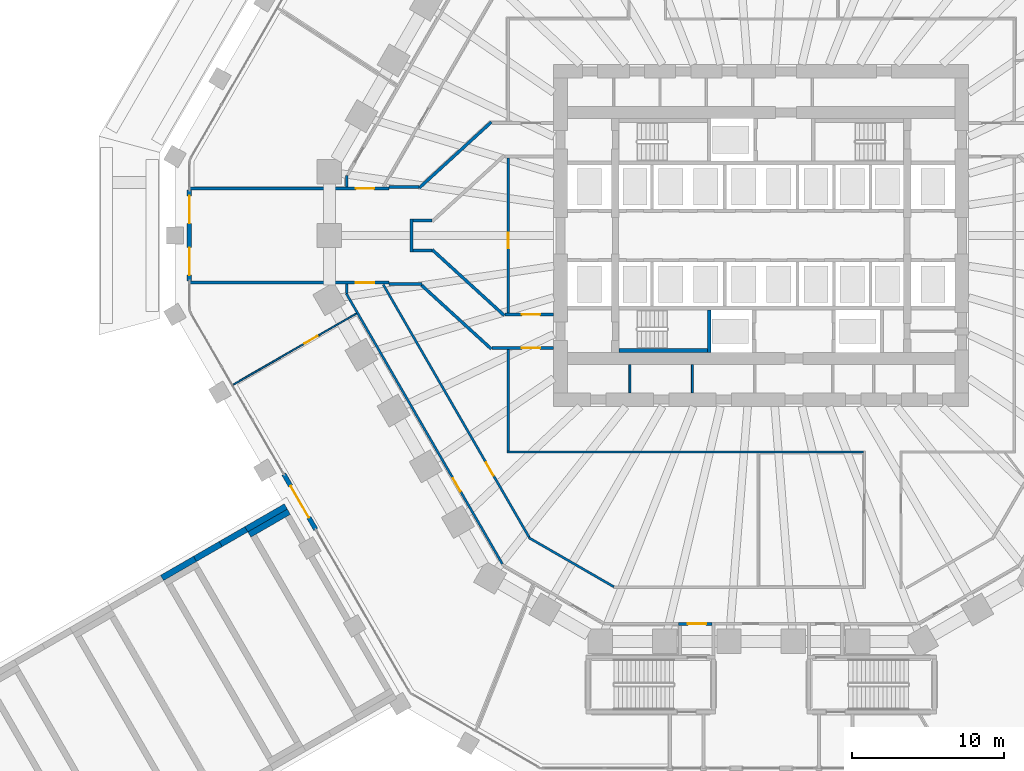
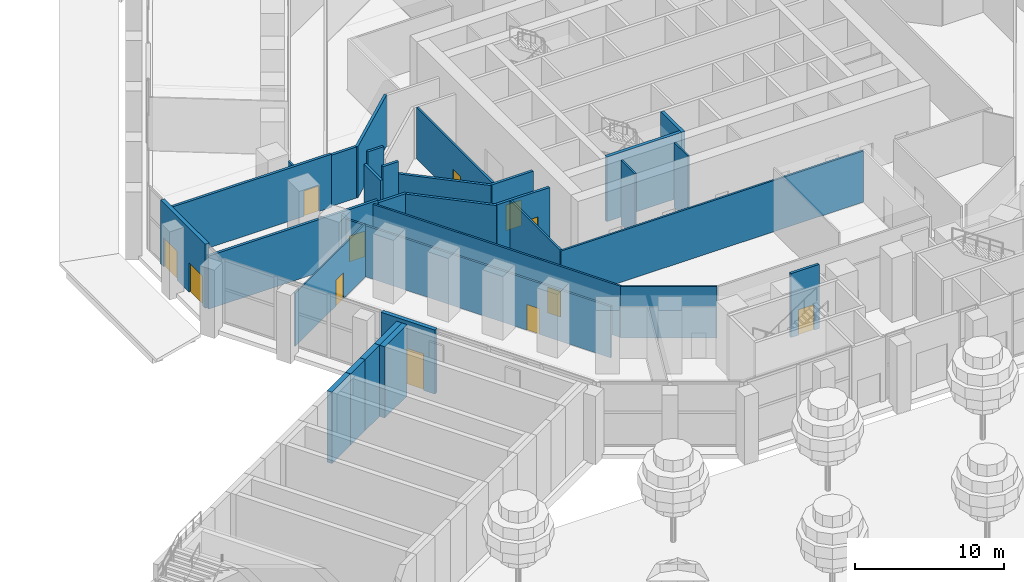
# One storey, part 17 of 44: 33 walls, 12 doors, 12 openings.
"""IFC4 building model written with IfcOpenShell, lengths in metres."""

from ifc_helpers import new_model, si_unit, direction, frame, frame_2d, origin, place, context, subcontext, project, spatial, rectangle, extrude, material, layer, layer_set, type_object, element, fill, save


model = new_model("IFC4")

# Units and contexts
model_context = context("Model", 3, precision=1e-05, world=origin(), true_north=direction((0.0, 1.0)))
body_context = subcontext(model_context, "Body", "Model", "MODEL_VIEW")
ifc_project = project(units=[si_unit("LENGTHUNIT", "METRE"), si_unit("AREAUNIT", "SQUARE_METRE"), si_unit("VOLUMEUNIT", "CUBIC_METRE"), si_unit("PLANEANGLEUNIT", "RADIAN"), si_unit("MASSUNIT", "GRAM", prefix="KILO")], contexts=[model_context])

# Site, building, storey
site_placement = place(None, origin())
site = spatial("IfcSite", under=ifc_project, at=site_placement, CompositionType="ELEMENT")
building_placement = place(site_placement, origin())
building = spatial("IfcBuilding", under=site, at=building_placement, Name="Frailejon Research Tower", CompositionType="ELEMENT")
storey_placement = place(building_placement, origin())
storey = spatial("IfcBuildingStorey", under=building, at=storey_placement, Name="L00", CompositionType="ELEMENT", Elevation=0.0)

# Walls
ifc_material_1 = material(Name="Plasterboard on steel studs", Category="steel")
ifc_layer_1 = layer(ifc_material_1, 0.125)
ifc_layer_set_1 = layer_set([ifc_layer_1], Name="Core partition 125")
wall_type_1 = type_object("IfcWallType", Name="Core partition 125", PredefinedType="PARTITIONING", material=ifc_layer_set_1)
for number, where, z_axis, x_axis, name in (
    (1, (-8.637451171875, -10.35009765625, 0.0), (0.0, 0.0, 1.0), (0.0, 1.0, 0.0), "Core partition"),
    (2, (-4.52490234375, -10.35009765625, 0.0), (0.0, 0.0, 1.0), (0.0, 1.0, 0.0), "Core partition"),
):
    element("IfcWall", number, at=place(storey_placement, frame(where, z_axis=z_axis, x_axis=x_axis)), inside=storey, type_object=wall_type_1, Name=name, PredefinedType="PARTITIONING", context=body_context, shape_type="SweptSolid", body=[
        extrude(rectangle(XDim=1.85009765625, YDim=0.125, at=frame_2d((0.925048828125, 0.0))), origin(), (0.0, 0.0, 1.0), 5.300048828125),
    ])
ifc_material_2 = material(Name="Gypsum board and masonry partition", Category="masonry")
ifc_layer_2 = layer(ifc_material_2, 0.14990234375)
ifc_layer_set_2 = layer_set([ifc_layer_2], Name="Corridor wall EI 60, gypsum on steel studs 150")
wall_type_2 = type_object("IfcWallType", Name="Corridor wall EI 60, gypsum on steel studs 150", PredefinedType="PARTITIONING", material=ifc_layer_set_2)
wall_1_placement = place(storey_placement, frame((-16.64990234375, -14.175048828125, 0.0), z_axis=(0.0, 0.0, 1.0), x_axis=(0.0, 1.0, 0.0)))
element("IfcWall", 3, at=wall_1_placement, inside=storey, type_object=wall_type_2, Name="T:IW:L00:005", PredefinedType="PARTITIONING", context=body_context, shape_type="SweptSolid", body=[
    extrude(rectangle(XDim=6.675048828125, YDim=0.14990234375, at=frame_2d((3.33740234375, 0.0))), origin(), (0.0, 0.0, 1.0), 4.199951171875),
])

# Wall, opening, door
wall_2_placement = place(storey_placement, frame((-16.64990234375, -5.10009765625, 0.0), z_axis=(0.0, 0.0, 1.0), x_axis=(0.0, 1.0, 0.0)))
wall_2 = element("IfcWall", 4, at=wall_2_placement, inside=storey, type_object=wall_type_2, Name="T:IW:L00:006", PredefinedType="PARTITIONING", context=body_context, shape_type="SweptSolid", body=[
    extrude(rectangle(XDim=10.2001953125, YDim=0.14990234375, at=frame_2d((5.10009765625, 0.0))), origin(), (0.0, 0.0, 1.0), 4.199951171875),
])
opening_1_placement = place(wall_2_placement, frame((4.277099609375, 0.0, 0.0)))
opening_1 = element("IfcOpeningElement", 5, at=opening_1_placement, cuts=wall_2, Name="Opening D1010", PredefinedType="OPENING", context=body_context, shape_type="SweptSolid", body=[
    extrude(rectangle(XDim=1.0, YDim=2.10009765625, at=frame_2d((0.5, 1.050048828125))), frame((0.0, 0.0849609375, 0.0), z_axis=(0.0, -1.0, 0.0), x_axis=(1.0, 0.0, 0.0)), (0.0, 0.0, 1.0), 0.169921875),
])
ifc_material_3 = material(Name="Timber door leaf", Category="wood")
door_type_1 = type_object("IfcDoorType", Name="Door single leaf, timber, steel frame 1000", OperationType="NOTDEFINED", PredefinedType="DOOR", material=ifc_material_3)
door_1_placement = place(opening_1_placement, origin())
door_1 = element("IfcDoor", 6, at=door_1_placement, inside=storey, type_object=door_type_1, Name="D1010", OperationType="SINGLE_SWING_RIGHT", OverallHeight=2.10009765625, OverallWidth=1.0, PredefinedType="DOOR", context=body_context, shape_type="SweptSolid", body=[
    extrude(rectangle(XDim=1.0, YDim=2.10009765625, at=frame_2d((0.5, 1.050048828125))), frame((0.0, 0.02490234375, 0.0), z_axis=(0.0, -1.0, 0.0), x_axis=(1.0, 0.0, 0.0)), (0.0, 0.0, 1.0), 0.050048828125),
])
fill(opening_1, door_1)

# Walls
wall_3_placement = place(storey_placement, frame((-27.2626953125, -3.804443359375, 0.0), z_axis=(0.0, 0.0, 1.0), x_axis=(0.0, 1.0, 0.0)))
element("IfcWall", 7, at=wall_3_placement, inside=storey, type_object=wall_type_2, Name="T:IW:L00:024", PredefinedType="PARTITIONING", context=body_context, shape_type="SweptSolid", body=[
    extrude(rectangle(XDim=0.6044921875, YDim=0.14990234375, at=frame_2d((0.30224609375, 0.0))), origin(), (0.0, 0.0, 1.0), 4.199951171875),
])
wall_4_placement = place(storey_placement, frame((-27.2626953125, 3.199951171875, 0.0), z_axis=(0.0, 0.0, 1.0), x_axis=(0.0, 1.0, 0.0)))
element("IfcWall", 8, at=wall_4_placement, inside=storey, type_object=wall_type_2, Name="T:IW:L00:025", PredefinedType="PARTITIONING", context=body_context, shape_type="SweptSolid", body=[
    extrude(rectangle(XDim=0.75439453125, YDim=0.14990234375, at=frame_2d((0.377197265625, 0.0))), origin(), (0.0, 0.0, 1.0), 4.199951171875),
])

# Wall, opening, door
wall_5_placement = place(storey_placement, frame((-27.30029296875, -3.814453125, 0.0), z_axis=(0.0, 0.0, 1.0), x_axis=(0.499997805905, -0.866026670542, 0.0)))
wall_5 = element("IfcWall", 9, at=wall_5_placement, inside=storey, type_object=wall_type_2, Name="T:IW:L00:028", PredefinedType="PARTITIONING", context=body_context, shape_type="SweptSolid", body=[
    extrude(rectangle(XDim=20.54345703125, YDim=0.14990234375, at=frame_2d((10.271728515625, 0.0))), origin(), (0.0, 0.0, 1.0), 4.199951171875),
])
opening_2_placement = place(wall_5_placement, frame((14.03564453125, 0.0, 0.0)))
opening_2 = element("IfcOpeningElement", 10, at=opening_2_placement, cuts=wall_5, Name="Opening D1012", PredefinedType="OPENING", context=body_context, shape_type="SweptSolid", body=[
    extrude(rectangle(XDim=1.0, YDim=2.10009765625, at=frame_2d((0.5, 1.050048828125))), frame((0.0, 0.0849609375, 0.0), z_axis=(0.0, -1.0, 0.0), x_axis=(1.0, 0.0, 0.0)), (0.0, 0.0, 1.0), 0.169921875),
])
door_2_placement = place(opening_2_placement, origin())
door_2 = element("IfcDoor", 11, at=door_2_placement, inside=storey, type_object=door_type_1, Name="D1012", OperationType="SINGLE_SWING_LEFT", OverallHeight=2.10009765625, OverallWidth=1.0, PredefinedType="DOOR", context=body_context, shape_type="SweptSolid", body=[
    extrude(rectangle(XDim=1.0, YDim=2.10009765625, at=frame_2d((0.5, 1.050048828125))), frame((0.0, 0.02490234375, 0.0), z_axis=(0.0, -1.0, 0.0), x_axis=(1.0, 0.0, 0.0)), (0.0, 0.0, 1.0), 0.050048828125),
])
fill(opening_2, door_2)

wall_6_placement = place(storey_placement, frame((-24.86279296875, -3.236328125, 0.0), z_axis=(0.0, 0.0, 1.0), x_axis=(0.499997883582, -0.866026625696, 0.0)))
wall_6 = element("IfcWall", 12, at=wall_6_placement, inside=storey, type_object=wall_type_2, Name="T:IW:L00:030", PredefinedType="PARTITIONING", context=body_context, shape_type="SweptSolid", body=[
    extrude(rectangle(XDim=19.18212890625, YDim=0.14990234375, at=frame_2d((9.591064453125, 0.0))), origin(), (0.0, 0.0, 1.0), 4.199951171875),
])
opening_3_placement = place(wall_6_placement, frame((13.51806640625, 0.0, 0.0)))
opening_3 = element("IfcOpeningElement", 13, at=opening_3_placement, cuts=wall_6, Name="Opening D1013", PredefinedType="OPENING", context=body_context, shape_type="SweptSolid", body=[
    extrude(rectangle(XDim=1.0, YDim=2.10009765625, at=frame_2d((0.5, 1.050048828125))), frame((0.0, 0.0849609375, 0.0), z_axis=(0.0, -1.0, 0.0), x_axis=(1.0, 0.0, 0.0)), (0.0, 0.0, 1.0), 0.169921875),
])
door_3_placement = place(opening_3_placement, origin())
door_3 = element("IfcDoor", 14, at=door_3_placement, inside=storey, type_object=door_type_1, Name="D1013", OperationType="SINGLE_SWING_RIGHT", OverallHeight=2.10009765625, OverallWidth=1.0, PredefinedType="DOOR", context=body_context, shape_type="SweptSolid", body=[
    extrude(rectangle(XDim=1.0, YDim=2.10009765625, at=frame_2d((0.5, 1.050048828125))), frame((0.0, 0.02490234375, 0.0), z_axis=(0.0, -1.0, 0.0), x_axis=(1.0, 0.0, 0.0)), (0.0, 0.0, 1.0), 0.050048828125),
])
fill(opening_3, door_3)

# Walls
wall_7_placement = place(storey_placement, frame((-15.299072265625, -19.876220703125, 0.0), z_axis=(0.0, 0.0, 1.0), x_axis=(0.866024786089, -0.500001069878, 0.0)))
element("IfcWall", 15, at=wall_7_placement, inside=storey, type_object=wall_type_2, Name="T:IW:L00:031", PredefinedType="PARTITIONING", context=body_context, shape_type="SweptSolid", body=[
    extrude(rectangle(XDim=6.47265625, YDim=0.14990234375, at=frame_2d((3.236328125, 0.0))), origin(), (0.0, 0.0, 1.0), 4.199951171875),
])
wall_8_placement = place(storey_placement, frame((-16.72509765625, -14.25, 0.0), z_axis=(0.0, 0.0, 1.0), x_axis=(1.0, 0.0, 0.0)))
element("IfcWall", 16, at=wall_8_placement, inside=storey, type_object=wall_type_2, Name="T:IW:L00:041", PredefinedType="PARTITIONING", context=body_context, shape_type="SweptSolid", body=[
    extrude(rectangle(XDim=23.4501953125, YDim=0.14990234375, at=frame_2d((11.72509765625, 0.0))), origin(), (0.0, 0.0, 1.0), 4.199951171875),
])
ifc_material_4 = material(Name="Gypsum board and masonry partition", Category="masonry")
ifc_layer_3 = layer(ifc_material_4, 0.199951171875)
ifc_layer_set_3 = layer_set([ifc_layer_3], Name="Enclosure wall EI 120, blockwork 200")
wall_type_3 = type_object("IfcWallType", Name="Enclosure wall EI 120, blockwork 200", PredefinedType="PARTITIONING", material=ifc_layer_set_3)
wall_9_placement = place(storey_placement, frame((-24.5, 3.199951171875, 0.0), z_axis=(0.0, 0.0, 1.0), x_axis=(1.0, 0.0, 0.0)))
element("IfcWall", 17, at=wall_9_placement, inside=storey, type_object=wall_type_3, Name="T:IW:L00:047", PredefinedType="PARTITIONING", context=body_context, shape_type="SweptSolid", body=[
    extrude(rectangle(XDim=1.973388671875, YDim=0.199951171875, at=frame_2d((0.98681640625, 0.0))), origin(), (0.0, 0.0, 1.0), 4.199951171875),
])

# Wall, opening, door
wall_10_placement = place(storey_placement, frame((-37.619140625, 3.10009765625, 0.0), z_axis=(0.0, 0.0, 1.0), x_axis=(1.0, 0.0, 0.0)))
wall_10 = element("IfcWall", 18, at=wall_10_placement, inside=storey, type_object=wall_type_3, Name="T:IW:L00:049", PredefinedType="PARTITIONING", context=body_context, shape_type="SweptSolid", body=[
    extrude(rectangle(XDim=13.119140625, YDim=0.199951171875, at=frame_2d((6.5595703125, 0.0))), origin(), (0.0, 0.0, 1.0), 4.35009765625),
])
opening_4_placement = place(wall_10_placement, frame((10.956298828125, 0.0, 0.0)))
opening_4 = element("IfcOpeningElement", 19, at=opening_4_placement, cuts=wall_10, Name="Opening D1026", PredefinedType="OPENING", context=body_context, shape_type="SweptSolid", body=[
    extrude(rectangle(XDim=1.199951171875, YDim=2.10009765625, at=frame_2d((0.60009765625, 1.050048828125))), frame((0.0, 0.10986328125, 0.0), z_axis=(0.0, -1.0, 0.0), x_axis=(1.0, 0.0, 0.0)), (0.0, 0.0, 1.0), 0.219970703125),
])
ifc_material_5 = material(Name="Steel door leaf", Category="steel")
door_type_2 = type_object("IfcDoorType", Name="Door exit passage, steel, fire rated 1200", OperationType="NOTDEFINED", PredefinedType="DOOR", material=ifc_material_5)
door_4_placement = place(opening_4_placement, origin())
door_4 = element("IfcDoor", 20, at=door_4_placement, inside=storey, type_object=door_type_2, Name="D1026", OperationType="SINGLE_SWING_LEFT", OverallHeight=2.10009765625, OverallWidth=1.199951171875, PredefinedType="DOOR", context=body_context, shape_type="SweptSolid", body=[
    extrude(rectangle(XDim=1.199951171875, YDim=2.10009765625, at=frame_2d((0.60009765625, 1.050048828125))), frame((0.0, 0.02490234375, 0.0), z_axis=(0.0, -1.0, 0.0), x_axis=(1.0, 0.0, 0.0)), (0.0, 0.0, 1.0), 0.050048828125),
])
fill(opening_4, door_4)

wall_11_placement = place(storey_placement, frame((-16.873291015625, -5.199951171875, 0.0), z_axis=(0.0, 0.0, 1.0), x_axis=(1.0, 0.0, 0.0)))
wall_11 = element("IfcWall", 21, at=wall_11_placement, inside=storey, type_object=wall_type_3, Name="T:IW:L00:054", PredefinedType="PARTITIONING", context=body_context, shape_type="SweptSolid", body=[
    extrude(rectangle(XDim=3.223388671875, YDim=0.199951171875, at=frame_2d((1.61181640625, 0.0))), origin(), (0.0, 0.0, 1.0), 4.199951171875),
])
opening_5_placement = place(wall_11_placement, frame((1.123291015625, 0.0, 0.0)))
opening_5 = element("IfcOpeningElement", 22, at=opening_5_placement, cuts=wall_11, Name="Opening D1027", PredefinedType="OPENING", context=body_context, shape_type="SweptSolid", body=[
    extrude(rectangle(XDim=1.199951171875, YDim=2.10009765625, at=frame_2d((0.60009765625, 1.050048828125))), frame((0.0, 0.10986328125, 0.0), z_axis=(0.0, -1.0, 0.0), x_axis=(1.0, 0.0, 0.0)), (0.0, 0.0, 1.0), 0.219970703125),
])
door_5_placement = place(opening_5_placement, origin())
door_5 = element("IfcDoor", 23, at=door_5_placement, inside=storey, type_object=door_type_2, Name="D1027", OperationType="SINGLE_SWING_RIGHT", OverallHeight=2.10009765625, OverallWidth=1.199951171875, PredefinedType="DOOR", context=body_context, shape_type="SweptSolid", body=[
    extrude(rectangle(XDim=1.199951171875, YDim=2.10009765625, at=frame_2d((0.60009765625, 1.050048828125))), frame((0.0, 0.02490234375, 0.0), z_axis=(0.0, -1.0, 0.0), x_axis=(1.0, 0.0, 0.0)), (0.0, 0.0, 1.0), 0.050048828125),
])
fill(opening_5, door_5)

# Wall
wall_12_placement = place(storey_placement, frame((-22.89990234375, 1.0, 0.0), z_axis=(0.0, 0.0, 1.0), x_axis=(1.0, 0.0, 0.0)))
element("IfcWall", 24, at=wall_12_placement, inside=storey, type_object=wall_type_3, Name="T:IW:L00:057", PredefinedType="PARTITIONING", context=body_context, shape_type="SweptSolid", body=[
    extrude(rectangle(XDim=1.2265625, YDim=0.199951171875, at=frame_2d((0.61328125, 0.0))), origin(), (0.0, 0.0, 1.0), 5.25),
])

# Wall, opening, door
wall_13_placement = place(storey_placement, frame((-37.619140625, -3.10009765625, 0.0), z_axis=(0.0, 0.0, 1.0), x_axis=(1.0, 0.0, 0.0)))
wall_13 = element("IfcWall", 25, at=wall_13_placement, inside=storey, type_object=wall_type_3, Name="T:IW:L00:060", PredefinedType="PARTITIONING", context=body_context, shape_type="SweptSolid", body=[
    extrude(rectangle(XDim=13.119140625, YDim=0.199951171875, at=frame_2d((6.5595703125, 0.0))), origin(), (0.0, 0.0, 1.0), 4.35009765625),
])
opening_6_placement = place(wall_13_placement, frame((10.956298828125, 0.0, 0.0)))
opening_6 = element("IfcOpeningElement", 26, at=opening_6_placement, cuts=wall_13, Name="Opening D1028", PredefinedType="OPENING", context=body_context, shape_type="SweptSolid", body=[
    extrude(rectangle(XDim=1.199951171875, YDim=2.10009765625, at=frame_2d((0.60009765625, 1.050048828125))), frame((0.0, 0.10986328125, 0.0), z_axis=(0.0, -1.0, 0.0), x_axis=(1.0, 0.0, 0.0)), (0.0, 0.0, 1.0), 0.219970703125),
])
door_6_placement = place(opening_6_placement, origin())
door_6 = element("IfcDoor", 27, at=door_6_placement, inside=storey, type_object=door_type_2, Name="D1028", OperationType="SINGLE_SWING_LEFT", OverallHeight=2.10009765625, OverallWidth=1.199951171875, PredefinedType="DOOR", context=body_context, shape_type="SweptSolid", body=[
    extrude(rectangle(XDim=1.199951171875, YDim=2.10009765625, at=frame_2d((0.60009765625, 1.050048828125))), frame((0.0, 0.02490234375, 0.0), z_axis=(0.0, -1.0, 0.0), x_axis=(1.0, 0.0, 0.0)), (0.0, 0.0, 1.0), 0.050048828125),
])
fill(opening_6, door_6)

wall_14_placement = place(storey_placement, frame((-5.431884765625, -25.5498046875, 0.0), z_axis=(0.0, 0.0, 1.0), x_axis=(1.0, 0.0, 0.0)))
wall_14 = element("IfcWall", 28, at=wall_14_placement, inside=storey, type_object=wall_type_3, Name="T:IW:L00:061", PredefinedType="PARTITIONING", context=body_context, shape_type="SweptSolid", body=[
    extrude(rectangle(XDim=2.199951171875, YDim=0.199951171875, at=frame_2d((1.10009765625, 0.0))), origin(), (0.0, 0.0, 1.0), 5.25),
])
opening_7_placement = place(wall_14_placement, frame((1.800048828125, 0.0, 0.0), z_axis=(0.0, 0.0, 1.0), x_axis=(-1.0, 0.0, 0.0)))
opening_7 = element("IfcOpeningElement", 29, at=opening_7_placement, cuts=wall_14, Name="Opening PSD07", PredefinedType="OPENING", context=body_context, shape_type="SweptSolid", body=[
    extrude(rectangle(XDim=1.199951171875, YDim=2.10009765625, at=frame_2d((0.60009765625, 1.050048828125))), frame((0.0, 0.10986328125, 0.0), z_axis=(0.0, -1.0, 0.0), x_axis=(1.0, 0.0, 0.0)), (0.0, 0.0, 1.0), 0.219970703125),
])
door_7_placement = place(opening_7_placement, origin())
door_7 = element("IfcDoor", 30, at=door_7_placement, inside=storey, type_object=door_type_2, Name="PSD07", OperationType="SINGLE_SWING_RIGHT", OverallHeight=2.10009765625, OverallWidth=1.199951171875, PredefinedType="DOOR", context=body_context, shape_type="SweptSolid", body=[
    extrude(rectangle(XDim=1.199951171875, YDim=2.10009765625, at=frame_2d((0.60009765625, 1.050048828125))), frame((0.0, 0.02490234375, 0.0), z_axis=(0.0, -1.0, 0.0), x_axis=(1.0, 0.0, 0.0)), (0.0, 0.0, 1.0), 0.050048828125),
])
fill(opening_7, door_7)

wall_15_placement = place(storey_placement, frame((-17.7265625, -7.39990234375, 0.0), z_axis=(0.0, 0.0, 1.0), x_axis=(1.0, 0.0, 0.0)))
wall_15 = element("IfcWall", 31, at=wall_15_placement, inside=storey, type_object=wall_type_3, Name="T:IW:L00:063", PredefinedType="PARTITIONING", context=body_context, shape_type="SweptSolid", body=[
    extrude(rectangle(XDim=4.07666015625, YDim=0.199951171875, at=frame_2d((2.038330078125, 0.0))), origin(), (0.0, 0.0, 1.0), 4.199951171875),
])
opening_8_placement = place(wall_15_placement, frame((1.9765625, 0.0, 0.0)))
opening_8 = element("IfcOpeningElement", 32, at=opening_8_placement, cuts=wall_15, Name="Opening D1029", PredefinedType="OPENING", context=body_context, shape_type="SweptSolid", body=[
    extrude(rectangle(XDim=1.199951171875, YDim=2.10009765625, at=frame_2d((0.60009765625, 1.050048828125))), frame((0.0, 0.10986328125, 0.0), z_axis=(0.0, -1.0, 0.0), x_axis=(1.0, 0.0, 0.0)), (0.0, 0.0, 1.0), 0.219970703125),
])
door_8_placement = place(opening_8_placement, origin())
door_8 = element("IfcDoor", 33, at=door_8_placement, inside=storey, type_object=door_type_2, Name="D1029", OperationType="SINGLE_SWING_RIGHT", OverallHeight=2.10009765625, OverallWidth=1.199951171875, PredefinedType="DOOR", context=body_context, shape_type="SweptSolid", body=[
    extrude(rectangle(XDim=1.199951171875, YDim=2.10009765625, at=frame_2d((0.60009765625, 1.050048828125))), frame((0.0, 0.02490234375, 0.0), z_axis=(0.0, -1.0, 0.0), x_axis=(1.0, 0.0, 0.0)), (0.0, 0.0, 1.0), 0.050048828125),
])
fill(opening_8, door_8)

# Walls
wall_16_placement = place(storey_placement, frame((-22.89990234375, -1.0, 0.0), z_axis=(0.0, 0.0, 1.0), x_axis=(1.0, 0.0, 0.0)))
element("IfcWall", 34, at=wall_16_placement, inside=storey, type_object=wall_type_3, Name="T:IW:L00:066", PredefinedType="PARTITIONING", context=body_context, shape_type="SweptSolid", body=[
    extrude(rectangle(XDim=1.2265625, YDim=0.199951171875, at=frame_2d((0.61328125, 0.0))), origin(), (0.0, 0.0, 1.0), 5.25),
])
wall_17_placement = place(storey_placement, frame((-22.50048828125, 3.132568359375, 0.0), z_axis=(0.0, 0.0, 1.0), x_axis=(0.738503580816, 0.674249554039, 0.0)))
element("IfcWall", 35, at=wall_17_placement, inside=storey, type_object=wall_type_3, Name="T:IW:L00:075", PredefinedType="PARTITIONING", context=body_context, shape_type="SweptSolid", body=[
    extrude(rectangle(XDim=6.428955078125, YDim=0.199951171875, at=frame_2d((3.21435546875, 0.0))), origin(), (0.0, 0.0, 1.0), 4.199951171875),
])
wall_18_placement = place(storey_placement, frame((-23.0, -1.10009765625, 0.0), z_axis=(0.0, 0.0, 1.0), x_axis=(0.0, 1.0, 0.0)))
element("IfcWall", 36, at=wall_18_placement, inside=storey, type_object=wall_type_3, Name="T:IW:L00:077", PredefinedType="PARTITIONING", context=body_context, shape_type="SweptSolid", body=[
    extrude(rectangle(XDim=2.2001953125, YDim=0.199951171875, at=frame_2d((1.10009765625, 0.0))), origin(), (0.0, 0.0, 1.0), 4.199951171875),
])
wall_19_placement = place(storey_placement, frame((-21.647216796875, -0.9326171875, 0.0), z_axis=(0.0, 0.0, 1.0), x_axis=(0.738503580816, -0.674249554039, 0.0)))
element("IfcWall", 37, at=wall_19_placement, inside=storey, type_object=wall_type_3, Name="T:IW:L00:078", PredefinedType="PARTITIONING", context=body_context, shape_type="SweptSolid", body=[
    extrude(rectangle(XDim=6.428955078125, YDim=0.199951171875, at=frame_2d((3.21435546875, 0.0))), origin(), (0.0, 0.0, 1.0), 4.199951171875),
])
wall_20_placement = place(storey_placement, frame((-22.352783203125, -3.267333984375, 0.0), z_axis=(0.0, 0.0, 1.0), x_axis=(0.738496524765, -0.67425728243, 0.0)))
element("IfcWall", 38, at=wall_20_placement, inside=storey, type_object=wall_type_3, Name="T:IW:L00:079", PredefinedType="PARTITIONING", context=body_context, shape_type="SweptSolid", body=[
    extrude(rectangle(XDim=6.22900390625, YDim=0.199951171875, at=frame_2d((3.114501953125, 0.0))), origin(), (0.0, 0.0, 1.0), 4.199951171875),
])
wall_21_placement = place(storey_placement, frame((-24.5, -3.199951171875, 0.0), z_axis=(0.0, 0.0, 1.0), x_axis=(1.0, 0.0, 0.0)))
element("IfcWall", 39, at=wall_21_placement, inside=storey, type_object=wall_type_3, Name="T:IW:L00:080", PredefinedType="PARTITIONING", context=body_context, shape_type="SweptSolid", body=[
    extrude(rectangle(XDim=2.17333984375, YDim=0.199951171875, at=frame_2d((1.086669921875, 0.0))), origin(), (0.0, 0.0, 1.0), 4.199951171875),
])

# Wall, opening, door
ifc_material_6 = material(Name="Gypsum board and masonry partition", Category="masonry")
ifc_layer_4 = layer(ifc_material_6, 0.10009765625)
ifc_layer_set_4 = layer_set([ifc_layer_4], Name="Partition, gypsum on steel studs 100")
wall_type_4 = type_object("IfcWallType", Name="Partition, gypsum on steel studs 100", PredefinedType="PARTITIONING", material=ifc_layer_set_4)
wall_22_placement = place(storey_placement, frame((-34.78955078125, -9.8427734375, 0.0), z_axis=(0.0, 0.0, 1.0), x_axis=(0.866020373745, 0.500008712183, 0.0)))
wall_22 = element("IfcWall", 40, at=wall_22_placement, inside=storey, type_object=wall_type_4, Name="T:IW:L00:096", PredefinedType="PARTITIONING", context=body_context, shape_type="SweptSolid", body=[
    extrude(rectangle(XDim=9.425048828125, YDim=0.10009765625, at=frame_2d((4.71240234375, 0.0))), origin(), (0.0, 0.0, 1.0), 4.35009765625),
])
opening_9_placement = place(wall_22_placement, frame((5.472412109375, 0.0, 0.0)))
opening_9 = element("IfcOpeningElement", 41, at=opening_9_placement, cuts=wall_22, Name="Opening D1011", PredefinedType="OPENING", context=body_context, shape_type="SweptSolid", body=[
    extrude(rectangle(XDim=1.0, YDim=2.10009765625, at=frame_2d((0.5, 1.050048828125))), frame((0.0, 0.06005859375, 0.0), z_axis=(0.0, -1.0, 0.0), x_axis=(1.0, 0.0, 0.0)), (0.0, 0.0, 1.0), 0.1201171875),
])
door_9_placement = place(opening_9_placement, origin())
door_9 = element("IfcDoor", 42, at=door_9_placement, inside=storey, type_object=door_type_1, Name="D1011", OperationType="SINGLE_SWING_RIGHT", OverallHeight=2.10009765625, OverallWidth=1.0, PredefinedType="DOOR", context=body_context, shape_type="SweptSolid", body=[
    extrude(rectangle(XDim=1.0, YDim=2.10009765625, at=frame_2d((0.5, 1.050048828125))), frame((0.0, 0.02490234375, 0.0), z_axis=(0.0, -1.0, 0.0), x_axis=(1.0, 0.0, 0.0)), (0.0, 0.0, 1.0), 0.050048828125),
])
fill(opening_9, door_9)

ifc_material_7 = material(Name="Concrete C40/50 precast entrance pier", Category="concrete")
ifc_layer_5 = layer(ifc_material_7, 0.300048828125)
ifc_layer_set_5 = layer_set([ifc_layer_5], Name="Podium entrance wall 300")
wall_type_5 = type_object("IfcWallType", Name="Podium entrance wall 300", PredefinedType="SOLIDWALL", material=ifc_layer_set_5)
wall_23_placement = place(storey_placement, frame((-31.404296875, -15.706298828125, 0.0), z_axis=(0.0, 0.0, 1.0), x_axis=(0.500002543286, -0.866023935413, 0.0)))
wall_23 = element("IfcWall", 43, at=wall_23_placement, inside=storey, type_object=wall_type_5, Name="Entrance pier L00", PredefinedType="SOLIDWALL", context=body_context, shape_type="SweptSolid", body=[
    extrude(rectangle(XDim=4.2001953125, YDim=0.300048828125, at=frame_2d((2.10009765625, 0.0))), origin(), (0.0, 0.0, 1.0), 5.25),
])
opening_10_placement = place(wall_23_placement, frame((0.89990234375, 0.0, 0.0)))
opening_10 = element("IfcOpeningElement", 44, at=opening_10_placement, cuts=wall_23, Name="Opening EN-4", PredefinedType="OPENING", context=body_context, shape_type="SweptSolid", body=[
    extrude(rectangle(XDim=2.39990234375, YDim=3.0, at=frame_2d((1.199951171875, 1.5))), frame((0.0, 0.159912109375, 0.0), z_axis=(0.0, -1.0, 0.0), x_axis=(1.0, 0.0, 0.0)), (0.0, 0.0, 1.0), 0.320068359375),
])
ifc_material_8 = material(Name="Aluminium framed glazed door leaf", Category="aluminium")
door_type_3 = type_object("IfcDoorType", Name="Entrance door 2400x3000", OperationType="DOUBLE_DOOR_SINGLE_SWING", PredefinedType="DOOR", material=ifc_material_8)
door_10_placement = place(opening_10_placement, origin())
door_10 = element("IfcDoor", 45, at=door_10_placement, inside=storey, type_object=door_type_3, Name="Door EN-4", OperationType="DOUBLE_DOOR_SINGLE_SWING", OverallHeight=3.0, OverallWidth=2.39990234375, PredefinedType="DOOR", context=body_context, shape_type="SweptSolid", body=[
    extrude(rectangle(XDim=2.39990234375, YDim=3.0, at=frame_2d((1.199951171875, 1.5))), frame((0.0, 0.02490234375, 0.0), z_axis=(0.0, -1.0, 0.0), x_axis=(1.0, 0.0, 0.0)), (0.0, 0.0, 1.0), 0.050048828125),
])
fill(opening_10, door_10)

# Wall, openings, doors
ifc_material_9 = material(Name="Concrete C40/50 precast exit pier", Category="concrete")
ifc_layer_6 = layer(ifc_material_9, 0.300048828125)
ifc_layer_set_6 = layer_set([ifc_layer_6], Name="Podium exit wall 300")
wall_type_6 = type_object("IfcWallType", Name="Podium exit wall 300", PredefinedType="SOLIDWALL", material=ifc_layer_set_6)
wall_24_placement = place(storey_placement, frame((-37.619140625, 3.0, 0.0), z_axis=(0.0, 0.0, 1.0), x_axis=(0.0, -1.0, 0.0)))
wall_24 = element("IfcWall", 46, at=wall_24_placement, inside=storey, type_object=wall_type_6, Name="Exit pier L00", PredefinedType="SOLIDWALL", context=body_context, shape_type="SweptSolid", body=[
    extrude(rectangle(XDim=6.0, YDim=0.300048828125, at=frame_2d((3.0, 0.0))), origin(), (0.0, 0.0, 1.0), 5.25),
])
opening_11_placement = place(wall_24_placement, frame((0.39990234375, 0.0, 0.0)))
opening_11 = element("IfcOpeningElement", 47, at=opening_11_placement, cuts=wall_24, Name="Opening FE-1", PredefinedType="OPENING", context=body_context, shape_type="SweptSolid", body=[
    extrude(rectangle(XDim=1.800048828125, YDim=2.39990234375, at=frame_2d((0.89990234375, 1.199951171875))), frame((0.0, 0.159912109375, 0.0), z_axis=(0.0, -1.0, 0.0), x_axis=(1.0, 0.0, 0.0)), (0.0, 0.0, 1.0), 0.320068359375),
])
opening_12_placement = place(wall_24_placement, frame((3.800048828125, 0.0, 0.0)))
opening_12 = element("IfcOpeningElement", 48, at=opening_12_placement, cuts=wall_24, Name="Opening FE-2", PredefinedType="OPENING", context=body_context, shape_type="SweptSolid", body=[
    extrude(rectangle(XDim=1.800048828125, YDim=2.39990234375, at=frame_2d((0.89990234375, 1.199951171875))), frame((0.0, 0.159912109375, 0.0), z_axis=(0.0, -1.0, 0.0), x_axis=(1.0, 0.0, 0.0)), (0.0, 0.0, 1.0), 0.320068359375),
])
ifc_material_10 = material(Name="Aluminium framed glazed door leaf", Category="aluminium")
door_type_4 = type_object("IfcDoorType", Name="Final exit door 1800x2400", OperationType="DOUBLE_DOOR_SINGLE_SWING", PredefinedType="DOOR", material=ifc_material_10)
door_11_placement = place(opening_11_placement, origin())
door_11 = element("IfcDoor", 49, at=door_11_placement, inside=storey, type_object=door_type_4, Name="Door FE-1", OperationType="DOUBLE_DOOR_SINGLE_SWING", OverallHeight=2.39990234375, OverallWidth=1.800048828125, PredefinedType="DOOR", context=body_context, shape_type="SweptSolid", body=[
    extrude(rectangle(XDim=1.800048828125, YDim=2.39990234375, at=frame_2d((0.89990234375, 1.199951171875))), frame((0.0, 0.02490234375, 0.0), z_axis=(0.0, -1.0, 0.0), x_axis=(1.0, 0.0, 0.0)), (0.0, 0.0, 1.0), 0.050048828125),
])
fill(opening_11, door_11)
door_12_placement = place(opening_12_placement, origin())
door_12 = element("IfcDoor", 50, at=door_12_placement, inside=storey, type_object=door_type_4, Name="Door FE-2", OperationType="DOUBLE_DOOR_SINGLE_SWING", OverallHeight=2.39990234375, OverallWidth=1.800048828125, PredefinedType="DOOR", context=body_context, shape_type="SweptSolid", body=[
    extrude(rectangle(XDim=1.800048828125, YDim=2.39990234375, at=frame_2d((0.89990234375, 1.199951171875))), frame((0.0, 0.02490234375, 0.0), z_axis=(0.0, -1.0, 0.0), x_axis=(1.0, 0.0, 0.0)), (0.0, 0.0, 1.0), 0.050048828125),
])
fill(opening_12, door_12)

# Walls
ifc_material_11 = material(Name="Concrete C70/85", Category="concrete")
ifc_layer_7 = layer(ifc_material_11, 0.25)
ifc_layer_set_7 = layer_set([ifc_layer_7], Name="Shaft wall 250 C70/85")
wall_type_7 = type_object("IfcWallType", Name="Shaft wall 250 C70/85", PredefinedType="SOLIDWALL", material=ifc_layer_set_7)
wall_25_placement = place(storey_placement, frame((-9.35009765625, -7.574951171875, 0.0), z_axis=(0.0, 0.0, 1.0), x_axis=(1.0, 0.0, 0.0)))
element("IfcWall", 51, at=wall_25_placement, inside=storey, type_object=wall_type_7, Name="Shaft wall", PredefinedType="SOLIDWALL", context=body_context, shape_type="SweptSolid", body=[
    extrude(rectangle(XDim=5.800048828125, YDim=0.25, at=frame_2d((2.89990234375, 0.0))), origin(), (0.0, 0.0, 1.0), 5.300048828125),
])
wall_26_placement = place(storey_placement, frame((-3.425048828125, -7.699951171875, 0.0), z_axis=(0.0, 0.0, 1.0), x_axis=(0.0, 1.0, 0.0)))
element("IfcWall", 52, at=wall_26_placement, inside=storey, type_object=wall_type_7, Name="Shaft wall", PredefinedType="SOLIDWALL", context=body_context, shape_type="SweptSolid", body=[
    extrude(rectangle(XDim=2.800048828125, YDim=0.25, at=frame_2d((1.39990234375, 0.0))), origin(), (0.0, 0.0, 1.0), 5.300048828125),
])
ifc_material_12 = material(Name="Concrete C35/45", Category="concrete")
ifc_layer_8 = layer(ifc_material_12, 0.39990234375)
ifc_layer_set_8 = layer_set([ifc_layer_8], Name="Stair plinth wall 400")
wall_type_8 = type_object("IfcWallType", Name="Stair plinth wall 400", PredefinedType="SOLIDWALL", material=ifc_layer_set_8)
for number, where, z_axis, x_axis, name in (
    (53, (-31.076904296875, -18.173095703125, -0.25), (0.0, 0.0, 1.0), (-0.866031096941, -0.499990139034, 0.0), "Broad stair W plinth"),
    (54, (-31.27685546875, -17.826904296875, -0.25), (0.0, 0.0, 1.0), (-0.866031096941, -0.499990139034, 0.0), "Broad stair W cheek wall"),
):
    element("IfcWall", number, at=place(storey_placement, frame(where, z_axis=z_axis, x_axis=x_axis)), inside=storey, type_object=wall_type_8, Name=name, PredefinedType="SOLIDWALL", context=body_context, shape_type="SweptSolid", body=[
        extrude(rectangle(XDim=3.0, YDim=0.39990234375, at=frame_2d((1.5, 0.0))), origin(), (0.0, 0.0, 1.0), 5.85009765625),
    ])
for number, where, z_axis, x_axis, name in (
    (55, (-33.875, -19.326904296875, -0.25), (0.0, 0.0, 1.0), (-0.866054235095, -0.49995005938, 0.0), "Broad stair W cheek wall"),
    (56, (-35.563720703125, -20.3017578125, -0.25), (0.0, 0.0, 1.0), (-0.866000020948, -0.500043961785, 0.0), "Broad stair W cheek wall"),
):
    element("IfcWall", number, at=place(storey_placement, frame(where, z_axis=z_axis, x_axis=x_axis)), inside=storey, type_object=wall_type_8, Name=name, PredefinedType="SOLIDWALL", context=body_context, shape_type="SweptSolid", body=[
        extrude(rectangle(XDim=1.949951171875, YDim=0.39990234375, at=frame_2d((0.97509765625, 0.0))), origin(), (0.0, 0.0, 1.0), 5.85009765625),
    ])
wall_27_placement = place(storey_placement, frame((-37.25244140625, -21.27685546875, -0.25), z_axis=(0.0, 0.0, 1.0), x_axis=(-0.866022959057, -0.500004234368, 0.0)))
element("IfcWall", 57, at=wall_27_placement, inside=storey, type_object=wall_type_8, Name="Broad stair W cheek wall", PredefinedType="SOLIDWALL", context=body_context, shape_type="SweptSolid", body=[
    extrude(rectangle(XDim=2.5, YDim=0.39990234375, at=frame_2d((1.25, 0.0))), origin(), (0.0, 0.0, 1.0), 5.85009765625),
])

save(model, "model.ifc")
